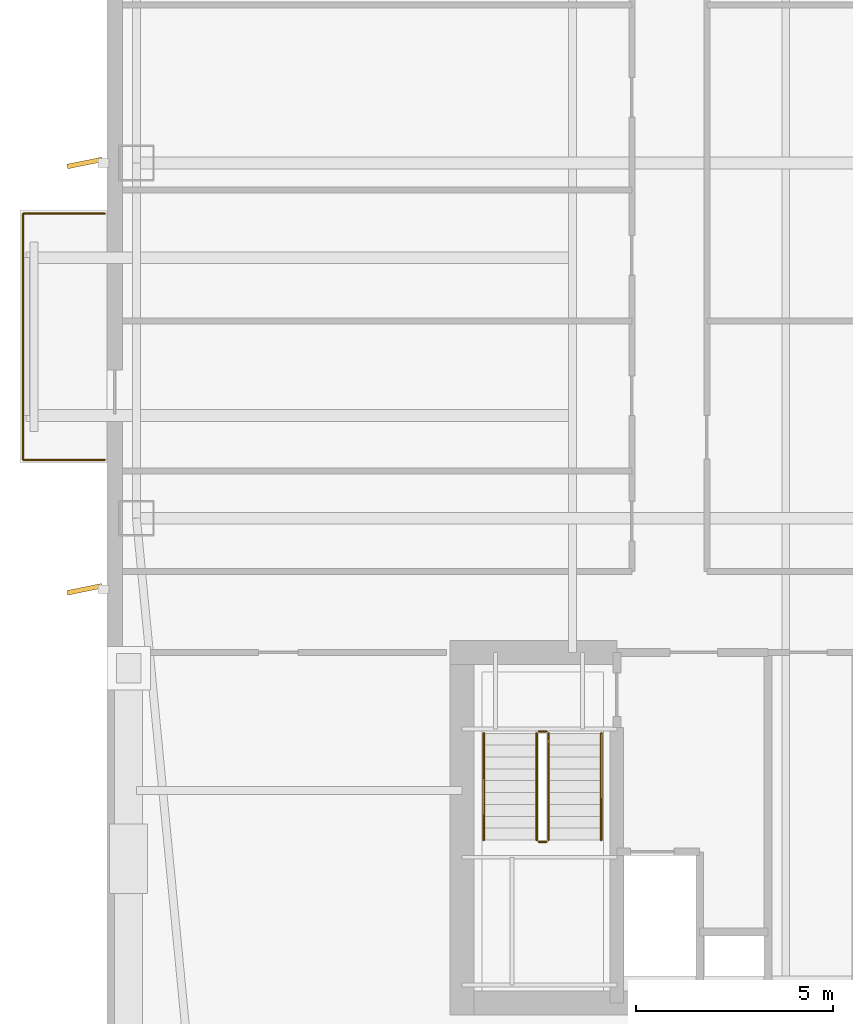
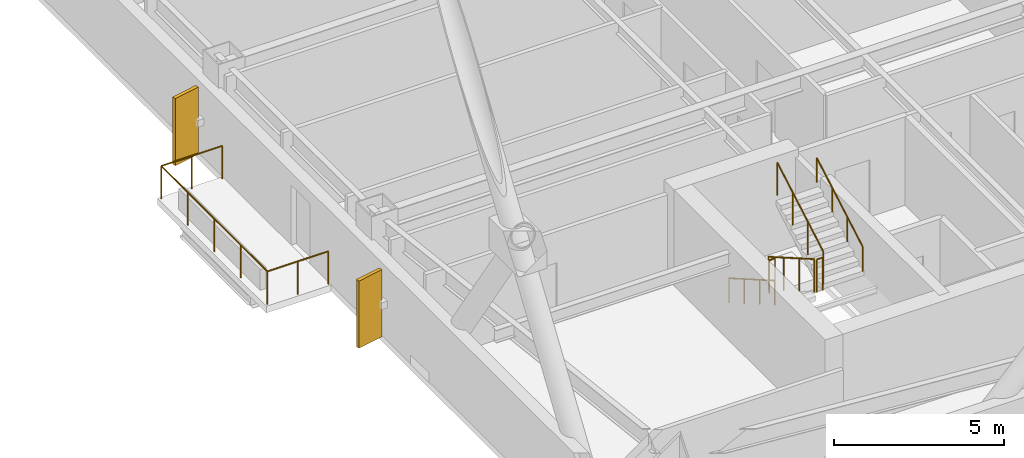
# One storey, part 14 of 18: 7 railings, 2 shading devices.
"""IFC4 building model written with IfcOpenShell, lengths in metres."""

from ifc_helpers import new_model, si_unit, direction, frame, origin, origin_2d, place, context, subcontext, project, spatial, rectangle, circle, extrude, material, layer, layer_set, type_object, element, save


model = new_model("IFC4")

# Units and contexts
model_context = context("Model", 3, precision=1e-05, world=origin(), true_north=direction((0.0, 1.0)))
body_context = subcontext(model_context, "Body", "Model", "MODEL_VIEW")
ifc_project = project(units=[si_unit("LENGTHUNIT", "METRE"), si_unit("AREAUNIT", "SQUARE_METRE"), si_unit("VOLUMEUNIT", "CUBIC_METRE"), si_unit("PLANEANGLEUNIT", "RADIAN"), si_unit("MASSUNIT", "GRAM", prefix="KILO")], contexts=[model_context])

# Site, building, storey
site_placement = place(None, origin())
site = spatial("IfcSite", under=ifc_project, at=site_placement, CompositionType="ELEMENT")
building_placement = place(site_placement, origin())
building = spatial("IfcBuilding", under=site, at=building_placement, Name="Qiaolan Cultural Towers", CompositionType="ELEMENT")
storey_placement = place(building_placement, frame((0.0, 0.0, 173.64990234375)))
storey = spatial("IfcBuildingStorey", under=building, at=storey_placement, Name="L46", CompositionType="ELEMENT", Elevation=173.64990234375)

# Railings
ifc_material_1 = material(Name="Laminated SentryGlas & Stainless Steel S31608 Balustrade", Category="steel")
railing_type_1 = type_object("IfcRailingType", Name="GRD-TERR-1200", PredefinedType="BALUSTRADE", material=ifc_material_1)
railing_1_placement = place(storey_placement, frame((12.75, 26.47998046875, 0.0)))
element("IfcRailing", 1, at=railing_1_placement, inside=storey, type_object=railing_type_1, Name="L46 T1 Tree Balcony Guardrail W", PredefinedType="BALUSTRADE", context=body_context, shape_type="SweptSolid", body=[
    extrude(circle(Radius=0.02392578125, at=origin_2d()), frame((0.0, 0.0, 1.17578125), z_axis=(-1.0, 0.0, 0.0), x_axis=(0.0, -1.0, 0.0)), (0.0, 0.0, 1.0), 2.070068359375),
    extrude(circle(Radius=0.02392578125, at=origin_2d()), frame((-2.070068359375, 0.0, 1.17578125), z_axis=(0.0, 1.0, 0.0), x_axis=(-1.0, 0.0, 0.0)), (0.0, 0.0, 1.0), 6.239990234375),
    extrude(circle(Radius=0.02392578125, at=origin_2d()), frame((-2.070068359375, 6.239990234375, 1.17578125), z_axis=(1.0, 0.0, 0.0), x_axis=(0.0, 1.0, 0.0)), (0.0, 0.0, 1.0), 2.070068359375),
    extrude(circle(Radius=0.02099609375, at=origin_2d()), origin(), (0.0, 0.0, 1.0), 1.15185546875),
    extrude(circle(Radius=0.02099609375, at=origin_2d()), frame((-1.03515625, 0.0, 0.0)), (0.0, 0.0, 1.0), 1.15185546875),
    extrude(circle(Radius=0.02099609375, at=origin_2d()), frame((-2.070068359375, 0.0, 0.0)), (0.0, 0.0, 1.0), 1.15185546875),
    extrude(circle(Radius=0.02099609375, at=origin_2d()), frame((-2.070068359375, 1.56005859375, 0.0)), (0.0, 0.0, 1.0), 1.15185546875),
    extrude(circle(Radius=0.02099609375, at=origin_2d()), frame((-2.070068359375, 3.1201171875, 0.0)), (0.0, 0.0, 1.0), 1.15185546875),
    extrude(circle(Radius=0.02099609375, at=origin_2d()), frame((-2.070068359375, 4.679931640625, 0.0)), (0.0, 0.0, 1.0), 1.15185546875),
    extrude(circle(Radius=0.02099609375, at=origin_2d()), frame((-2.070068359375, 6.239990234375, 0.0)), (0.0, 0.0, 1.0), 1.15185546875),
    extrude(circle(Radius=0.02099609375, at=origin_2d()), frame((-1.03515625, 6.239990234375, 0.0)), (0.0, 0.0, 1.0), 1.15185546875),
    extrude(circle(Radius=0.02099609375, at=origin_2d()), frame((0.0, 6.239990234375, 0.0)), (0.0, 0.0, 1.0), 1.15185546875),
])
ifc_material_2 = material(Name="Galvanized Painted Steel Stair Guardrail", Category="steel")
railing_type_2 = type_object("IfcRailingType", Name="RL-STAIR-GRD", PredefinedType="GUARDRAIL", material=ifc_material_2)
railing_2_placement = place(storey_placement, frame((23.68994140625, 19.550048828125, 0.172607421875)))
element("IfcRailing", 2, at=railing_2_placement, inside=storey, type_object=railing_type_2, Name="L46 ST-W1 stair guard 1", PredefinedType="GUARDRAIL", context=body_context, shape_type="SweptSolid", body=[
    extrude(circle(Radius=0.02392578125, at=origin_2d()), frame((0.0, 0.0, 1.17578125), z_axis=(0.0, -0.866903762492, 0.498475542607), x_axis=(1.0, 0.0, 0.0)), (0.0, 0.0, 1.0), 3.114501953125),
    extrude(circle(Radius=0.02099609375, at=origin_2d()), origin(), (0.0, 0.0, 1.0), 1.15185546875),
    extrude(circle(Radius=0.02099609375, at=origin_2d()), frame((0.0, -0.89990234375, 0.517578125)), (0.0, 0.0, 1.0), 1.15185546875),
    extrude(circle(Radius=0.02099609375, at=origin_2d()), frame((0.0, -1.800048828125, 1.034912109375)), (0.0, 0.0, 1.0), 1.15185546875),
    extrude(circle(Radius=0.02099609375, at=origin_2d()), frame((0.0, -2.699951171875, 1.552490234375)), (0.0, 0.0, 1.0), 1.15185546875),
])
railing_3_placement = place(storey_placement, frame((23.739990234375, 16.800048828125, 1.72509765625)))
element("IfcRailing", 3, at=railing_3_placement, inside=storey, type_object=railing_type_2, Name="L46 ST-W1 stair guard 2", PredefinedType="GUARDRAIL", context=body_context, shape_type="SweptSolid", body=[
    extrude(circle(Radius=0.02392578125, at=origin_2d()), frame((0.0, 0.0, 1.17578125), z_axis=(1.0, 0.0, 0.0), x_axis=(0.0, 1.0, 0.0)), (0.0, 0.0, 1.0), 0.199951171875),
    extrude(circle(Radius=0.02099609375, at=origin_2d()), origin(), (0.0, 0.0, 1.0), 1.15185546875),
    extrude(circle(Radius=0.02099609375, at=origin_2d()), frame((0.199951171875, 0.0, 0.0)), (0.0, 0.0, 1.0), 1.15185546875),
])
railing_4_placement = place(storey_placement, frame((23.989990234375, 16.85009765625, 1.897705078125)))
element("IfcRailing", 4, at=railing_4_placement, inside=storey, type_object=railing_type_2, Name="L46 ST-W1 stair guard 3", PredefinedType="GUARDRAIL", context=body_context, shape_type="SweptSolid", body=[
    extrude(circle(Radius=0.02392578125, at=origin_2d()), frame((0.0, 0.0, 1.17578125), z_axis=(0.0, 0.866903762492, 0.498475542607), x_axis=(-1.0, 0.0, 0.0)), (0.0, 0.0, 1.0), 3.114501953125),
    extrude(circle(Radius=0.02099609375, at=origin_2d()), origin(), (0.0, 0.0, 1.0), 1.15185546875),
    extrude(circle(Radius=0.02099609375, at=origin_2d()), frame((0.0, 0.89990234375, 0.517578125)), (0.0, 0.0, 1.0), 1.15185546875),
    extrude(circle(Radius=0.02099609375, at=origin_2d()), frame((0.0, 1.800048828125, 1.034912109375)), (0.0, 0.0, 1.0), 1.15185546875),
    extrude(circle(Radius=0.02099609375, at=origin_2d()), frame((0.0, 2.699951171875, 1.552490234375)), (0.0, 0.0, 1.0), 1.15185546875),
])
railing_5_placement = place(storey_placement, frame((23.739990234375, 19.60009765625, 0.0)))
element("IfcRailing", 5, at=railing_5_placement, inside=storey, type_object=railing_type_2, Name="L46 ST-W1 stair guard 4", PredefinedType="GUARDRAIL", context=body_context, shape_type="SweptSolid", body=[
    extrude(circle(Radius=0.02392578125, at=origin_2d()), frame((0.0, 0.0, 1.17578125), z_axis=(1.0, 0.0, 0.0), x_axis=(0.0, 1.0, 0.0)), (0.0, 0.0, 1.0), 0.199951171875),
    extrude(circle(Radius=0.02099609375, at=origin_2d()), origin(), (0.0, 0.0, 1.0), 1.15185546875),
    extrude(circle(Radius=0.02099609375, at=origin_2d()), frame((0.199951171875, 0.0, 0.0)), (0.0, 0.0, 1.0), 1.15185546875),
])
ifc_material_3 = material(Name="Stainless Steel S30408 Tubular Handrail", Category="steel")
railing_type_3 = type_object("IfcRailingType", Name="RL-STAIR-HR", PredefinedType="HANDRAIL", material=ifc_material_3)
railing_6_placement = place(storey_placement, frame((22.35009765625, 19.550048828125, 0.172607421875)))
element("IfcRailing", 6, at=railing_6_placement, inside=storey, type_object=railing_type_3, Name="L46 ST-W1 stair handrail 1", PredefinedType="HANDRAIL", context=body_context, shape_type="SweptSolid", body=[
    extrude(circle(Radius=0.02392578125, at=origin_2d()), frame((0.0, 0.0, 0.8759765625), z_axis=(0.0, -0.866903762492, 0.498475542607), x_axis=(1.0, 0.0, 0.0)), (0.0, 0.0, 1.0), 3.114501953125),
    extrude(circle(Radius=0.02099609375, at=origin_2d()), origin(), (0.0, 0.0, 1.0), 0.851806640625),
    extrude(circle(Radius=0.02099609375, at=origin_2d()), frame((0.0, -0.89990234375, 0.517578125)), (0.0, 0.0, 1.0), 0.851806640625),
    extrude(circle(Radius=0.02099609375, at=origin_2d()), frame((0.0, -1.800048828125, 1.034912109375)), (0.0, 0.0, 1.0), 0.851806640625),
    extrude(circle(Radius=0.02099609375, at=origin_2d()), frame((0.0, -2.699951171875, 1.552490234375)), (0.0, 0.0, 1.0), 0.851806640625),
])
railing_7_placement = place(storey_placement, frame((25.330078125, 16.85009765625, 1.897705078125)))
element("IfcRailing", 7, at=railing_7_placement, inside=storey, type_object=railing_type_3, Name="L46 ST-W1 stair handrail 2", PredefinedType="HANDRAIL", context=body_context, shape_type="SweptSolid", body=[
    extrude(circle(Radius=0.02392578125, at=origin_2d()), frame((0.0, 0.0, 0.8759765625), z_axis=(0.0, 0.866903762492, 0.498475542607), x_axis=(-1.0, 0.0, 0.0)), (0.0, 0.0, 1.0), 3.114501953125),
    extrude(circle(Radius=0.02099609375, at=origin_2d()), origin(), (0.0, 0.0, 1.0), 0.851806640625),
    extrude(circle(Radius=0.02099609375, at=origin_2d()), frame((0.0, 0.89990234375, 0.517578125)), (0.0, 0.0, 1.0), 0.851806640625),
    extrude(circle(Radius=0.02099609375, at=origin_2d()), frame((0.0, 1.800048828125, 1.034912109375)), (0.0, 0.0, 1.0), 0.851806640625),
    extrude(circle(Radius=0.02099609375, at=origin_2d()), frame((0.0, 2.699951171875, 1.552490234375)), (0.0, 0.0, 1.0), 0.851806640625),
])

# Shading devices
ifc_material_4 = material(Name="Pierced Warm Terracotta Acoustic Fin", Category="masonry")
ifc_layer = layer(ifc_material_4, 0.1201171875)
ifc_layer_set = layer_set([ifc_layer], Name="Pierced Warm Terracotta Acoustic Fin")
shading_device_type = type_object("IfcShadingDeviceType", Name="SHD-FIN-PIERCED", PredefinedType="USERDEFINED", material=ifc_layer_set)
for number, where, z_axis, x_axis, name in (
    (8, (12.239990234375, 23.199951171875, 0.10009765625), (0.0, 0.0, 1.0), (0.979957166978, 0.19920831029, 0.0), "L46 T1 Expressive Precast Vertical Fin W1"),
    (9, (12.239990234375, 34.0, 0.10009765625), (0.0, 0.0, 1.0), (0.979957166978, 0.19920831029, 0.0), "L46 T1 Expressive Precast Vertical Fin W2"),
):
    element("IfcShadingDevice", number, at=place(storey_placement, frame(where, z_axis=z_axis, x_axis=x_axis)), inside=storey, type_object=shading_device_type, Name=name, ObjectType="FIN", PredefinedType="USERDEFINED", context=body_context, shape_type="SweptSolid", body=[
        extrude(rectangle(XDim=0.89990234375, YDim=0.1201171875, at=origin_2d()), origin(), (0.0, 0.0, 1.0), 2.409912109375),
    ])

save(model, "model.ifc")
